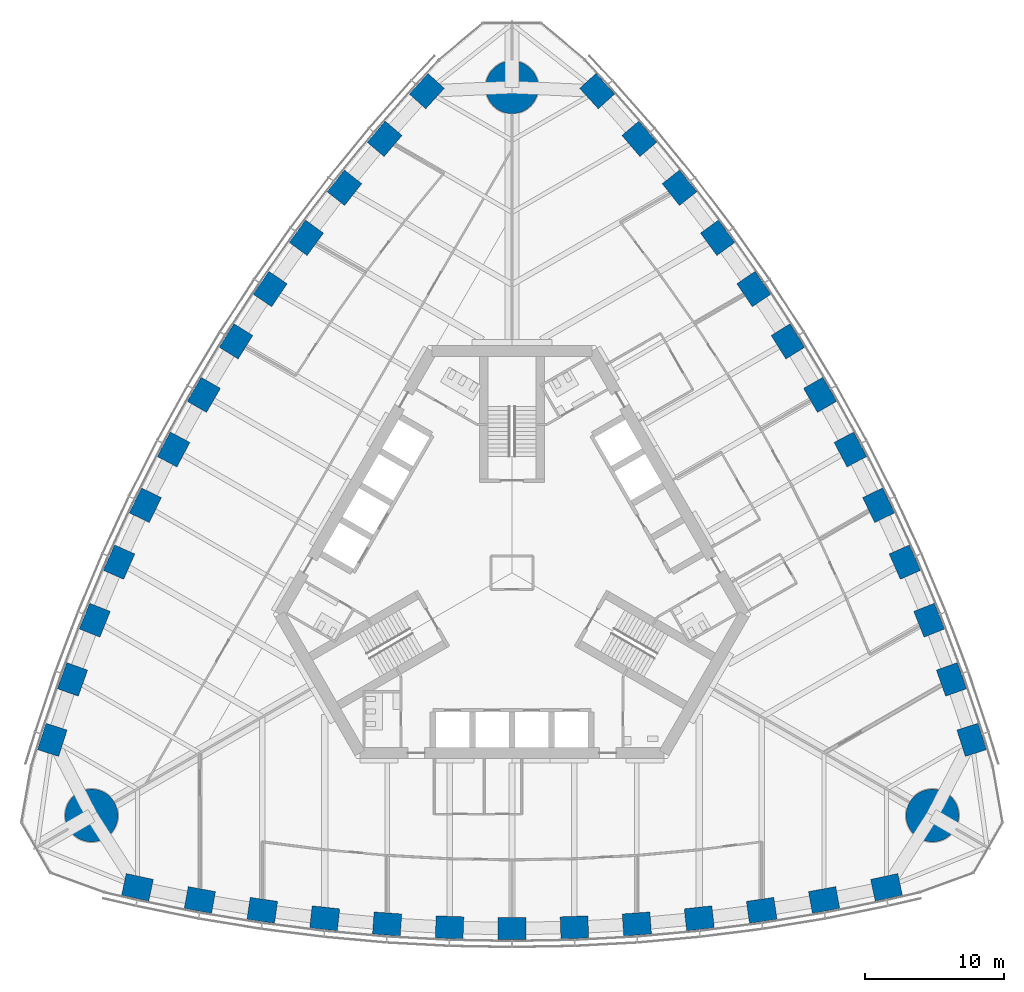
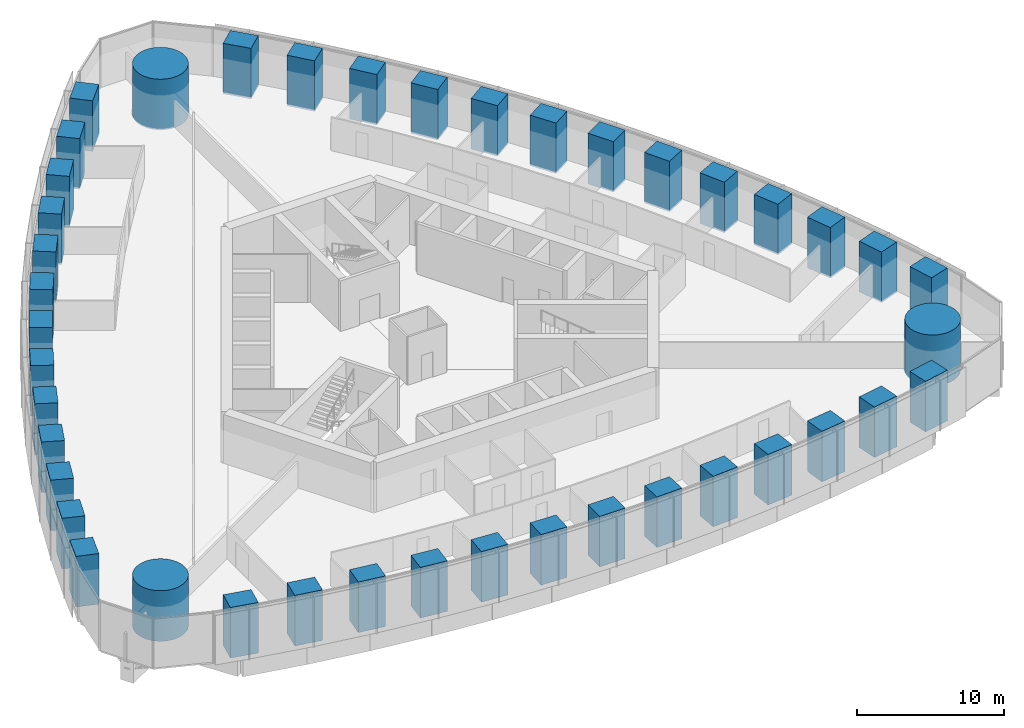
# One storey, part 1 of 18: 42 columns.
"""IFC4 building model written with IfcOpenShell, lengths in metres."""

import ifcopenshell
import ifcopenshell.guid

model = None  # the IFC model being written
_history = None  # IfcOwnerHistory: only IFC2X3 demands one
_inside = {}  # id of a spatial element -> (the spatial element, [elements in it])
_under = {}  # id of a project, library or spatial element -> (it, [spatial elements below it])
_declared = {}  # id of a project -> (the project, [libraries it declares])
_typed = {}  # id of a type object -> (the type object, [elements of that type])
_made_of = {}  # id of a material, layer set ... -> (it, [elements and type objects made of it])


def new_model(schema):
    """Start an empty IFC model of exactly this schema.

    Asked for "IFC4X3", IfcOpenShell would pick the latest addendum, in which some entities
    have other attributes; the version numbers below select the first issue.
    IFC2X3 requires an IfcOwnerHistory on every rooted entity: one is made here for all.
    """
    global model, _history
    if schema == "IFC4X3":
        model = ifcopenshell.file(schema_version=(4, 3, 0, 0))
    else:
        model = ifcopenshell.file(schema=schema)
    _inside.clear()
    _under.clear()
    _declared.clear()
    _typed.clear()
    _made_of.clear()
    _history = None
    if model.schema == "IFC2X3":
        org = make("IfcOrganization", Name="unknown")
        user = make(
            "IfcPersonAndOrganization",
            ThePerson=make("IfcPerson", FamilyName="unknown"),
            TheOrganization=org,
        )
        app = make(
            "IfcApplication",
            ApplicationDeveloper=org,
            Version="unknown",
            ApplicationFullName="unknown",
            ApplicationIdentifier="unknown",
        )
        _history = make(
            "IfcOwnerHistory",
            OwningUser=user,
            OwningApplication=app,
            ChangeAction="ADDED",
            CreationDate=0,
        )
    return model


def make(cls, **values):
    """One entity of the class cls with the attributes given. An attribute that is None is left unset."""
    return model.create_entity(
        cls, **{name: value for name, value in values.items() if value is not None}
    )


def rooted(cls, **values):
    """An entity with a GlobalId (a new one), such as an element, a storey or a relation."""
    return make(cls, GlobalId=ifcopenshell.guid.new(), OwnerHistory=_history, **values)


def si_unit(unit_type, name, prefix=None):
    """IfcSIUnit, for example si_unit("LENGTHUNIT", "METRE", prefix="MILLI")."""
    return make("IfcSIUnit", UnitType=unit_type, Prefix=prefix, Name=name)


def assignment(units):
    """IfcUnitAssignment: the units of a project."""
    return None if units is None else make("IfcUnitAssignment", Units=units)


def point(xyz):
    """IfcCartesianPoint."""
    return None if xyz is None else make("IfcCartesianPoint", Coordinates=xyz)


def direction(xyz):
    """IfcDirection."""
    return None if xyz is None else make("IfcDirection", DirectionRatios=xyz)


def frame(location, z_axis=None, x_axis=None):
    """IfcAxis2Placement3D, a coordinate frame: its origin and axes. An axis left out is left unset."""
    return make(
        "IfcAxis2Placement3D",
        Location=point(location),
        Axis=direction(z_axis),
        RefDirection=direction(x_axis),
    )


def frame_2d(location, x_axis=None):
    """IfcAxis2Placement2D, a coordinate frame in the plane: its origin and x axis."""
    return make(
        "IfcAxis2Placement2D", Location=point(location), RefDirection=direction(x_axis)
    )


def origin():
    """The frame at (0, 0, 0) with its axes left unset."""
    return frame((0.0, 0.0, 0.0))


def origin_2d():
    """The frame at (0, 0) in the plane with its x axis left unset."""
    return frame_2d((0.0, 0.0))


def place(relative_to, where):
    """IfcLocalPlacement: puts the frame where relative to a parent placement (None: the world)."""
    return make(
        "IfcLocalPlacement", PlacementRelTo=relative_to, RelativePlacement=where
    )


def context(
    kind, dimensions, precision=None, world=None, true_north=None, identifier=None
):
    """IfcGeometricRepresentationContext, for example the 3D "Model" context."""
    return make(
        "IfcGeometricRepresentationContext",
        ContextIdentifier=identifier,
        ContextType=kind,
        CoordinateSpaceDimension=dimensions,
        Precision=precision,
        WorldCoordinateSystem=world,
        TrueNorth=true_north,
    )


def subcontext(parent, identifier, kind, view, scale=None):
    """IfcGeometricRepresentationSubContext, for example "Body" below "Model"."""
    return make(
        "IfcGeometricRepresentationSubContext",
        ContextIdentifier=identifier,
        ContextType=kind,
        ParentContext=parent,
        TargetScale=scale,
        TargetView=view,
    )


def project(units=None, contexts=None):
    """IfcProject with its units and contexts."""
    return rooted(
        "IfcProject",
        Name="project",
        RepresentationContexts=contexts,
        UnitsInContext=assignment(units),
    )


def spatial(cls, under=None, at=None, **own):
    """A site, building, storey or space (cls), placed at a placement, below another one or the project."""
    s = rooted(cls, ObjectPlacement=at, **own)
    if under is not None:
        _under.setdefault(under.id(), (under, []))[1].append(s)
    return s


def profile(cls, at=None, kind="AREA", **sizes):
    """A parametric profile (cls). Its sizes go by their IFC names, for example OverallWidth=200.0."""
    return make(cls, ProfileType=kind, Position=at, **sizes)


def rectangle(**sizes):
    """IfcRectangleProfileDef."""
    return profile("IfcRectangleProfileDef", **sizes)


def circle(**sizes):
    """IfcCircleProfileDef."""
    return profile("IfcCircleProfileDef", **sizes)


def extrude(swept, where, along, depth):
    """IfcExtrudedAreaSolid: the profile swept, set in the frame where, extruded along a direction by depth."""
    return make(
        "IfcExtrudedAreaSolid",
        SweptArea=swept,
        Position=where,
        ExtrudedDirection=direction(along),
        Depth=depth,
    )


def shape(context_of_items, identifier, shape_type, items):
    """IfcShapeRepresentation: the items that make up one representation, for example the "Body"."""
    return make(
        "IfcShapeRepresentation",
        ContextOfItems=context_of_items,
        RepresentationIdentifier=identifier,
        RepresentationType=shape_type,
        Items=items,
    )


def material(Name=None, Category=None):
    """IfcMaterial."""
    return make("IfcMaterial", Name=Name, Category=Category)


def material_profile(
    of_material, cross_section, Name=None, Category=None, Priority=None
):
    """IfcMaterialProfile: a cross section and its material."""
    return make(
        "IfcMaterialProfile",
        Name=Name,
        Material=of_material,
        Profile=cross_section,
        Priority=Priority,
        Category=Category,
    )


def profile_set(profiles, Name=None, composite=None):
    """IfcMaterialProfileSet."""
    return make(
        "IfcMaterialProfileSet",
        Name=Name,
        MaterialProfiles=profiles,
        CompositeProfile=composite,
    )


def made_of(thing, what):
    """Note that an element or type object is made of a material, layer set ...; save() writes the relation."""
    if what is not None:
        _made_of.setdefault(what.id(), (what, []))[1].append(thing)
    return thing


def type_object(cls, material=None, **own):
    """A type object (cls), such as IfcWallType, which elements share."""
    return made_of(rooted(cls, **own), material)


def element(
    cls,
    number,
    at=None,
    inside=None,
    cuts=None,
    type_object=None,
    material=None,
    context=None,
    identifier="Body",
    shape_type=None,
    held_by="IfcProductDefinitionShape",
    body=None,
    shapes=None,
    **own,
):
    """One element of the class cls, such as IfcWall. Its Tag is "e" and its number.

    at: its placement. inside: the storey or other place that contains it. cuts: it is an
    opening in that element (IfcRelVoidsElement). A single representation is given by context,
    identifier, shape_type and body (its items); several are given by shapes. held_by: the class
    of the entity that holds the representations. save() writes the other relations.
    """
    e = rooted(cls, Tag="e%d" % number, ObjectPlacement=at, **own)
    if body is not None:
        shapes = [shape(context, identifier, shape_type, body)]
    if shapes is not None:
        e.Representation = make(held_by, Representations=shapes)
    if inside is not None:
        _inside.setdefault(inside.id(), (inside, []))[1].append(e)
    if cuts is not None:
        rooted(
            "IfcRelVoidsElement", RelatingBuildingElement=cuts, RelatedOpeningElement=e
        )
    if type_object is not None:
        _typed.setdefault(type_object.id(), (type_object, []))[1].append(e)
    return made_of(e, material)


def aggregate(whole, parts):
    """IfcRelAggregates: a whole, such as a stair, and the parts it consists of."""
    return rooted("IfcRelAggregates", RelatingObject=whole, RelatedObjects=parts)


def save(model, path):
    """Write the relations noted so far, then the file.

    IfcRelAggregates (storeys below a building ...), IfcRelContainedInSpatialStructure (elements
    in a storey), IfcRelDefinesByType, IfcRelAssociatesMaterial and IfcRelDeclares: one each for
    every whole, place, type object, material and project.
    """
    for whole, parts in _under.values():
        aggregate(whole, parts)
    for where, things in _inside.values():
        rooted(
            "IfcRelContainedInSpatialStructure",
            RelatedElements=things,
            RelatingStructure=where,
        )
    for kind, things in _typed.values():
        rooted("IfcRelDefinesByType", RelatedObjects=things, RelatingType=kind)
    for what, things in _made_of.values():
        rooted("IfcRelAssociatesMaterial", RelatedObjects=things, RelatingMaterial=what)
    for by, libraries in _declared.values():
        rooted("IfcRelDeclares", RelatingContext=by, RelatedDefinitions=libraries)
    model.write(path)


model = new_model("IFC4")

# Units and contexts
model_context = context("Model", 3, precision=1e-05, world=origin(), true_north=direction((0.0, 1.0)))
body_context = subcontext(model_context, "Body", "Model", "MODEL_VIEW")
ifc_project = project(units=[si_unit("LENGTHUNIT", "METRE"), si_unit("AREAUNIT", "SQUARE_METRE"), si_unit("VOLUMEUNIT", "CUBIC_METRE"), si_unit("PLANEANGLEUNIT", "RADIAN"), si_unit("MASSUNIT", "GRAM", prefix="KILO")], contexts=[model_context])

# Site, building, storey
site_placement = place(None, origin())
site = spatial("IfcSite", under=ifc_project, at=site_placement, CompositionType="ELEMENT")
building_placement = place(site_placement, origin())
building = spatial("IfcBuilding", under=site, at=building_placement, Name="Trefoil Bronze Tower", CompositionType="ELEMENT")
storey_placement = place(building_placement, frame((0.0, 0.0, 170.300048828125)))
storey = spatial("IfcBuildingStorey", under=building, at=storey_placement, Name="L39", CompositionType="ELEMENT", Elevation=170.300048828125)

# Columns
ifc_material_1 = material(Name="Concrete B80", Category="concrete")
ifc_material_profile_1 = material_profile(ifc_material_1, circle(Radius=1.89990234375, at=origin_2d()), Name="RC D3800")
ifc_profile_set_1 = profile_set([ifc_material_profile_1], Name="Concrete B80")
column_type_1 = type_object("IfcColumnType", Name="Mega column RC D3800", PredefinedType="COLUMN", material=ifc_profile_set_1)
for number, where, z_axis, x_axis, name in (
    (1, (30.310791015625, -17.5, 0.0), (0.0, 0.0, 1.0), (1.0, 0.0, 0.0), "Mega column K1 L39"),
    (2, (0.0, 35.0, 0.0), (0.0, 0.0, 1.0), (1.0, 0.0, 0.0), "Mega column K2 L39"),
    (3, (-30.310791015625, -17.5, 0.0), (0.0, 0.0, 1.0), (1.0, 0.0, 0.0), "Mega column K3 L39"),
):
    element("IfcColumn", number, at=place(storey_placement, frame(where, z_axis=z_axis, x_axis=x_axis)), inside=storey, type_object=column_type_1, Name=name, PredefinedType="COLUMN", context=body_context, shape_type="SweptSolid", body=[
        extrude(circle(Radius=1.89990234375, at=origin_2d()), origin(), (0.0, 0.0, 1.0), 4.199951171875),
    ])
ifc_material_2 = material(Name="Concrete B80", Category="concrete")
ifc_material_profile_2 = material_profile(ifc_material_2, rectangle(XDim=2.0, YDim=1.60009765625, at=origin_2d()), Name="RC 2000x1600")
ifc_profile_set_2 = profile_set([ifc_material_profile_2], Name="Concrete B80")
column_type_2 = type_object("IfcColumnType", Name="Tube column RC 2000x1600", PredefinedType="COLUMN", material=ifc_profile_set_2)
for number, where, z_axis, x_axis, name in (
    (4, (-27.0, -22.67724609375, 0.0), (0.0, 0.0, 1.0), (0.977276081214, -0.21197042503, 0.0), "Tube column F1/-6 L39"),
    (5, (-22.5, -23.592529296875, 0.0), (0.0, 0.0, 1.0), (0.98362250613, -0.180240853954, 0.0), "Tube column F1/-5 L39"),
    (6, (-18.0, -24.337158203125, 0.0), (0.0, 0.0, 1.0), (0.989549714366, -0.144192103798, 0.0), "Tube column F1/-4 L39"),
    (7, (-13.5, -24.9130859375, 0.0), (0.0, 0.0, 1.0), (0.994135267447, -0.108143747013, 0.0), "Tube column F1/-3 L39"),
    (8, (-9.0, -25.32275390625, 0.0), (0.0, 0.0, 1.0), (0.997397720802, -0.072095676284, 0.0), "Tube column F1/-2 L39"),
    (9, (-4.5, -25.568115234375, 0.0), (0.0, 0.0, 1.0), (0.999350067136, -0.036047792107, 0.0), "Tube column F1/-1 L39"),
    (10, (0.0, -25.649658203125, 0.0), (0.0, 0.0, 1.0), (1.0, 0.0, 0.0), "Tube column F1/+0 L39"),
    (11, (4.5, -25.568115234375, 0.0), (0.0, 0.0, 1.0), (0.999350067136, 0.036047792107, 0.0), "Tube column F1/+1 L39"),
    (12, (9.0, -25.32275390625, 0.0), (0.0, 0.0, 1.0), (0.997397720802, 0.072095676284, 0.0), "Tube column F1/+2 L39"),
    (13, (13.5, -24.9130859375, 0.0), (0.0, 0.0, 1.0), (0.994135267447, 0.108143747013, 0.0), "Tube column F1/+3 L39"),
    (14, (18.0, -24.337158203125, 0.0), (0.0, 0.0, 1.0), (0.989549714366, 0.144192103798, 0.0), "Tube column F1/+4 L39"),
    (15, (22.5, -23.592529296875, 0.0), (0.0, 0.0, 1.0), (0.98362250613, 0.180240853954, 0.0), "Tube column F1/+5 L39"),
    (16, (27.0, -22.67724609375, 0.0), (0.0, 0.0, 1.0), (0.977276081214, 0.21197042503, 0.0), "Tube column F1/+6 L39"),
    (17, (33.13916015625, -12.044189453125, 0.0), (0.0, 0.0, 1.0), (-0.30506626768, 0.952331125357, 0.0), "Tube column F2/-6 L39"),
    (18, (31.681884765625, -7.689208984375, 0.0), (0.0, 0.0, 1.0), (-0.335718094742, 0.94196250502, 0.0), "Tube column F2/-5 L39"),
    (19, (30.07666015625, -3.419921875, 0.0), (0.0, 0.0, 1.0), (-0.369900832269, 0.929071242848, 0.0), "Tube column F2/-4 L39"),
    (20, (28.325439453125, 0.76513671875, 0.0), (0.0, 0.0, 1.0), (-0.40341240155, 0.915018269914, 0.0), "Tube column F2/-3 L39"),
    (21, (26.43017578125, 4.8671875, 0.0), (0.0, 0.0, 1.0), (-0.436262173236, 0.899819602033, 0.0), "Tube column F2/-2 L39"),
    (22, (24.392578125, 8.886962890625, 0.0), (0.0, 0.0, 1.0), (-0.468456729853, 0.883486441467, 0.0), "Tube column F2/-1 L39"),
    (23, (22.21337890625, 12.824951171875, 0.0), (0.0, 0.0, 1.0), (-0.5, 0.866025403784, 0.0), "Tube column F2/+0 L39"),
    (24, (19.892578125, 16.68115234375, 0.0), (0.0, 0.0, 1.0), (-0.530893337283, 0.84743864936, 0.0), "Tube column F2/+1 L39"),
    (25, (17.43017578125, 20.45556640625, 0.0), (0.0, 0.0, 1.0), (-0.561135547566, 0.827723925749, 0.0), "Tube column F2/+2 L39"),
    (26, (14.825439453125, 24.14794921875, 0.0), (0.0, 0.0, 1.0), (-0.590722865897, 0.806874522901, 0.0), "Tube column F2/+3 L39"),
    (27, (12.07666015625, 27.757080078125, 0.0), (0.0, 0.0, 1.0), (-0.619648882098, 0.78487913905, 0.0), "Tube column F2/+4 L39"),
    (28, (9.181884765625, 31.281982421875, 0.0), (0.0, 0.0, 1.0), (-0.647904411389, 0.761721651066, 0.0), "Tube column F2/+5 L39"),
    (29, (6.13916015625, 34.72119140625, 0.0), (0.0, 0.0, 1.0), (-0.672209813534, 0.740360700327, 0.0), "Tube column F2/+6 L39"),
    (30, (-6.13916015625, 34.72119140625, 0.0), (0.0, 0.0, 1.0), (-0.672209813534, -0.740360700327, 0.0), "Tube column F3/-6 L39"),
    (31, (-9.181884765625, 31.281982421875, 0.0), (0.0, 0.0, 1.0), (-0.647904411389, -0.761721651066, 0.0), "Tube column F3/-5 L39"),
    (32, (-12.07666015625, 27.757080078125, 0.0), (0.0, 0.0, 1.0), (-0.619648882098, -0.78487913905, 0.0), "Tube column F3/-4 L39"),
    (33, (-14.825439453125, 24.14794921875, 0.0), (0.0, 0.0, 1.0), (-0.590722865897, -0.806874522901, 0.0), "Tube column F3/-3 L39"),
    (34, (-17.43017578125, 20.45556640625, 0.0), (0.0, 0.0, 1.0), (-0.561135547566, -0.827723925749, 0.0), "Tube column F3/-2 L39"),
    (35, (-19.892578125, 16.68115234375, 0.0), (0.0, 0.0, 1.0), (-0.530893337283, -0.84743864936, 0.0), "Tube column F3/-1 L39"),
    (36, (-22.21337890625, 12.824951171875, 0.0), (0.0, 0.0, 1.0), (-0.5, -0.866025403784, 0.0), "Tube column F3/+0 L39"),
    (37, (-24.392578125, 8.886962890625, 0.0), (0.0, 0.0, 1.0), (-0.468456729853, -0.883486441467, 0.0), "Tube column F3/+1 L39"),
    (38, (-26.43017578125, 4.8671875, 0.0), (0.0, 0.0, 1.0), (-0.436262173236, -0.899819602033, 0.0), "Tube column F3/+2 L39"),
    (39, (-28.325439453125, 0.76513671875, 0.0), (0.0, 0.0, 1.0), (-0.40341240155, -0.915018269914, 0.0), "Tube column F3/+3 L39"),
    (40, (-30.07666015625, -3.419921875, 0.0), (0.0, 0.0, 1.0), (-0.369900832269, -0.929071242848, 0.0), "Tube column F3/+4 L39"),
    (41, (-31.681884765625, -7.689208984375, 0.0), (0.0, 0.0, 1.0), (-0.335718094742, -0.94196250502, 0.0), "Tube column F3/+5 L39"),
    (42, (-33.13916015625, -12.044189453125, 0.0), (0.0, 0.0, 1.0), (-0.30506626768, -0.952331125357, 0.0), "Tube column F3/+6 L39"),
):
    element("IfcColumn", number, at=place(storey_placement, frame(where, z_axis=z_axis, x_axis=x_axis)), inside=storey, type_object=column_type_2, Name=name, PredefinedType="COLUMN", context=body_context, shape_type="SweptSolid", body=[
        extrude(rectangle(XDim=2.0, YDim=1.60009765625, at=origin_2d()), origin(), (0.0, 0.0, 1.0), 4.199951171875),
    ])

save(model, "model.ifc")
